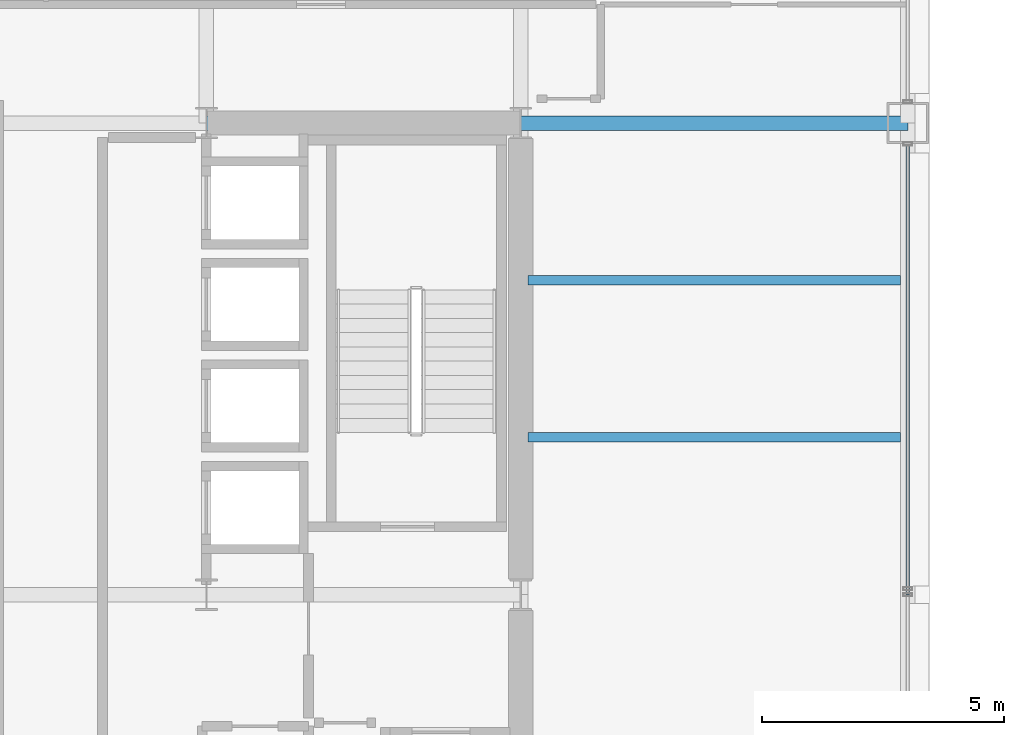
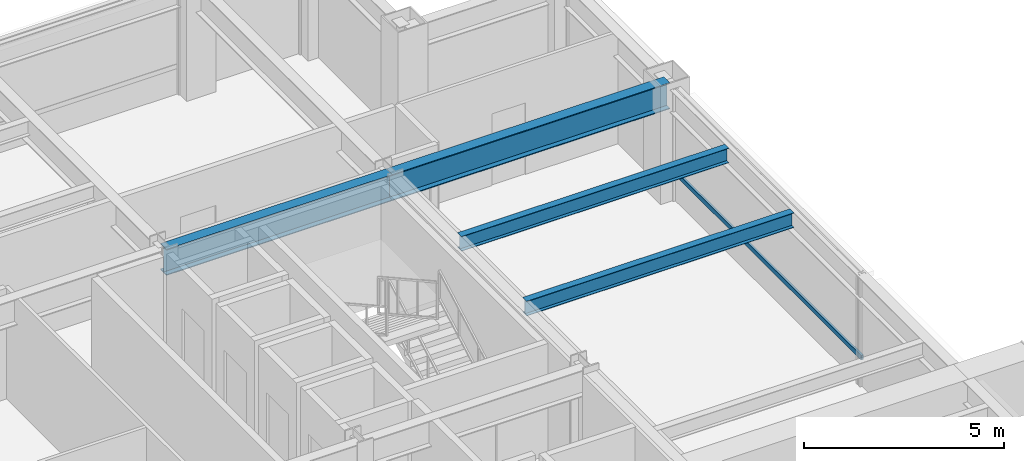
# One storey, part 15 of 28: 4 beams, 1 member, 1 element without a shape of its own.
"""IFC4 building model written with IfcOpenShell, lengths in metres."""

from ifc_helpers import new_model, si_unit, direction, frame, origin, origin_2d, place, context, subcontext, project, spatial, hollow_rectangle, i_section, extrude, material, layer, layer_set, material_profile, profile_set, type_object, element, aggregate, save


model = new_model("IFC4")

# Units and contexts
model_context = context("Model", 3, precision=1e-05, world=origin(), true_north=direction((0.0, 1.0)))
body_context = subcontext(model_context, "Body", "Model", "MODEL_VIEW")
ifc_project = project(units=[si_unit("LENGTHUNIT", "METRE"), si_unit("AREAUNIT", "SQUARE_METRE"), si_unit("VOLUMEUNIT", "CUBIC_METRE"), si_unit("PLANEANGLEUNIT", "RADIAN"), si_unit("MASSUNIT", "GRAM", prefix="KILO")], contexts=[model_context])

# Site, building, storey
site_placement = place(None, origin())
site = spatial("IfcSite", under=ifc_project, at=site_placement, CompositionType="ELEMENT")
building_placement = place(site_placement, origin())
building = spatial("IfcBuilding", under=site, at=building_placement, Name="Brelmoor Portico Tower", CompositionType="ELEMENT")
storey_placement = place(building_placement, frame((0.0, 0.0, 91.800048828125)))
storey = spatial("IfcBuildingStorey", under=building, at=storey_placement, Name="L23", CompositionType="ELEMENT", Elevation=91.800048828125)

# Beams
ifc_material_1 = material(Name="Steel Q355B", Category="steel")
ifc_material_profile_1 = material_profile(ifc_material_1, i_section(OverallWidth=0.199951171875, OverallDepth=0.449951171875, WebThickness=0.009033203125, FlangeThickness=0.013916015625, at=origin_2d()), Name="HN 450x200x9x14")
ifc_profile_set_1 = profile_set([ifc_material_profile_1], Name="Steel Q355B")
beam_type_1 = type_object("IfcBeamType", Name="BM-JS-450", PredefinedType="JOIST", material=ifc_profile_set_1)
for number, where, z_axis, x_axis, name in (
    (1, (14.699951171875, 3.25, 3.175048828125), (1.0, 0.0, 0.0), (0.0, 1.0, 0.0), "L23 Secondary Wing Joist JS-E11"),
    (2, (14.699951171875, 6.5, 3.175048828125), (1.0, 0.0, 0.0), (0.0, 1.0, 0.0), "L23 Secondary Wing Joist JS-E12"),
):
    element("IfcBeam", number, at=place(storey_placement, frame(where, z_axis=z_axis, x_axis=x_axis)), inside=storey, type_object=beam_type_1, Name=name, PredefinedType="JOIST", context=body_context, shape_type="SweptSolid", body=[
        extrude(i_section(OverallWidth=0.199951171875, OverallDepth=0.449951171875, WebThickness=0.009033203125, FlangeThickness=0.013916015625, at=origin_2d()), origin(), (0.0, 0.0, 1.0), 7.699951171875),
    ])
ifc_material_profile_2 = material_profile(ifc_material_1, i_section(OverallWidth=0.300048828125, OverallDepth=0.800048828125, WebThickness=0.013916015625, FlangeThickness=0.02587890625, at=origin_2d()), Name="HN 800x300x14x26")
ifc_profile_set_2 = profile_set([ifc_material_profile_2], Name="Steel Q355B")
beam_type_2 = type_object("IfcBeamType", Name="BM-PG-800", PredefinedType="BEAM", material=ifc_profile_set_2)
beam_1_placement = place(storey_placement, frame((8.050048828125, 9.75, 3.0), z_axis=(1.0, 0.0, 0.0), x_axis=(0.0, 1.0, 0.0)))
element("IfcBeam", 3, at=beam_1_placement, inside=storey, type_object=beam_type_2, Name="L23 Primary Floor Girder PG-24", PredefinedType="BEAM", context=body_context, shape_type="SweptSolid", body=[
    extrude(i_section(OverallWidth=0.300048828125, OverallDepth=0.800048828125, WebThickness=0.013916015625, FlangeThickness=0.02587890625, at=origin_2d()), origin(), (0.0, 0.0, 1.0), 6.5),
])
beam_2_placement = place(storey_placement, frame((14.550048828125, 9.75, 3.0), z_axis=(1.0, 0.0, 0.0), x_axis=(0.0, 1.0, 0.0)))
element("IfcBeam", 4, at=beam_2_placement, inside=storey, type_object=beam_type_2, Name="L23 Primary Floor Girder PG-25", PredefinedType="BEAM", context=body_context, shape_type="SweptSolid", body=[
    extrude(i_section(OverallWidth=0.300048828125, OverallDepth=0.800048828125, WebThickness=0.013916015625, FlangeThickness=0.02587890625, at=origin_2d()), origin(), (0.0, 0.0, 1.0), 8.0),
])

# Curtain wall, member
ifc_material_2 = material(Name="Anodised Aluminium Alloy 6063-T6", Category="aluminium")
ifc_layer = layer(ifc_material_2, 0.179931640625)
ifc_layer_set = layer_set([ifc_layer], Name="Anodised Aluminium Alloy 6063-T6")
curtain_wall_type = type_object("IfcCurtainWallType", Name="CW-TOWER-Z2", PredefinedType="NOTDEFINED", material=ifc_layer_set)
curtain_wall_placement = place(storey_placement, origin())
curtain_wall = element("IfcCurtainWall", 5, at=curtain_wall_placement, inside=storey, type_object=curtain_wall_type, Name="L23 Curtain Wall CW-L23-04-2b", PredefinedType="NOTDEFINED")
ifc_material_profile_3 = material_profile(ifc_material_2, hollow_rectangle(XDim=0.06494140625, YDim=0.139892578125, WallThickness=0.00390625, at=origin_2d()), Name="ALU TRANSOM 65x140")
ifc_profile_set_3 = profile_set([ifc_material_profile_3], Name="Anodised Aluminium Alloy 6063-T6")
member_type = type_object("IfcMemberType", Name="MB-CW-TRAN-140", PredefinedType="USERDEFINED", material=ifc_profile_set_3)
member_placement = place(storey_placement, frame((22.550048828125, 0.0, 0.849853515625), z_axis=(0.0, 1.0, 0.0), x_axis=(-1.0, 0.0, 0.0)))
member = element("IfcMember", 6, at=member_placement, type_object=member_type, Name="CW-L23-04-2b Transom 1-00", ObjectType="TRANSOM", PredefinedType="USERDEFINED", context=body_context, shape_type="SweptSolid", body=[
    extrude(hollow_rectangle(XDim=0.06494140625, YDim=0.139892578125, WallThickness=0.00390625, at=origin_2d()), origin(), (0.0, 0.0, 1.0), 9.31494140625),
])
aggregate(curtain_wall, [member])

save(model, "model.ifc")
